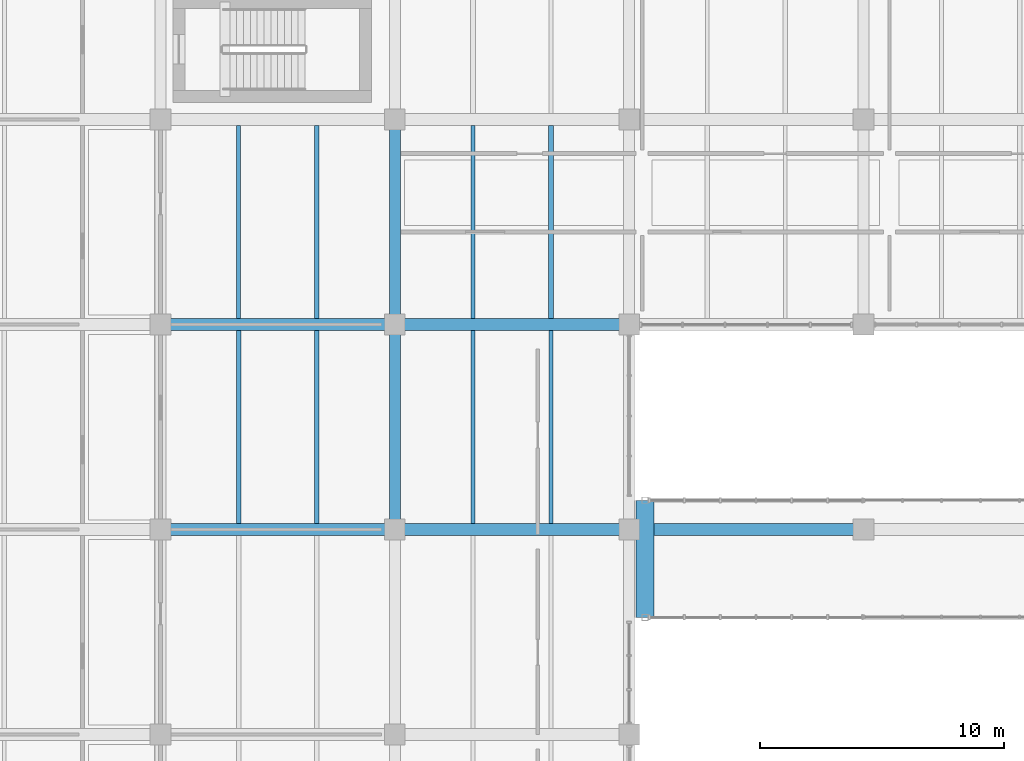
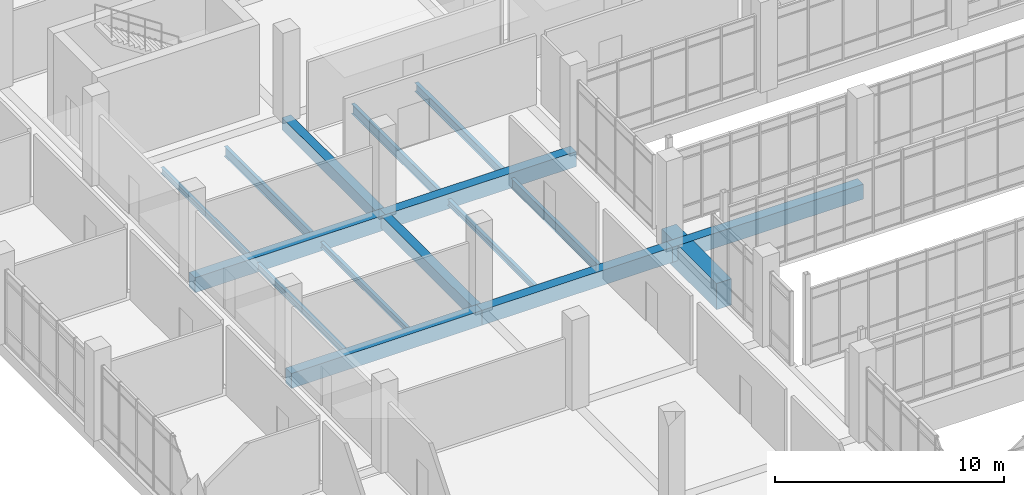
# One storey, part 52 of 152: 16 beams.
"""IFC4 building model written with IfcOpenShell, lengths in metres."""

from ifc_helpers import new_model, si_unit, direction, frame, origin, origin_2d, place, context, subcontext, project, spatial, rectangle, i_section, extrude, material, material_profile, profile_set, type_object, element, save


model = new_model("IFC4")

# Units and contexts
model_context = context("Model", 3, precision=1e-05, world=origin(), true_north=direction((0.0, 1.0)))
body_context = subcontext(model_context, "Body", "Model", "MODEL_VIEW")
ifc_project = project(units=[si_unit("LENGTHUNIT", "METRE"), si_unit("AREAUNIT", "SQUARE_METRE"), si_unit("VOLUMEUNIT", "CUBIC_METRE"), si_unit("PLANEANGLEUNIT", "RADIAN"), si_unit("MASSUNIT", "GRAM", prefix="KILO")], contexts=[model_context])

# Site, building, storey
site_placement = place(None, origin())
site = spatial("IfcSite", under=ifc_project, at=site_placement, CompositionType="ELEMENT")
building_placement = place(site_placement, origin())
building = spatial("IfcBuilding", under=site, at=building_placement, Name="Oolite Switchyard Hospital", CompositionType="ELEMENT")
storey_placement = place(building_placement, frame((0.0, 0.0, 5.10009765625)))
storey = spatial("IfcBuildingStorey", under=building, at=storey_placement, Name="L01", CompositionType="ELEMENT", Elevation=5.10009765625)

# Beams
ifc_material_1 = material(Name="Concrete C40/50", Category="concrete")
ifc_material_profile_1 = material_profile(ifc_material_1, rectangle(XDim=0.449951171875, YDim=0.64990234375, at=origin_2d()), Name="RCB450X650")
ifc_profile_set_1 = profile_set([ifc_material_profile_1], Name="Concrete C40/50")
beam_type_1 = type_object("IfcBeamType", Name="BM-RC450X650", PredefinedType="BEAM", material=ifc_profile_set_1)
beam_1_placement = place(storey_placement, frame((134.39990234375, 50.39990234375, -0.3251953125), z_axis=(0.0, 1.0, 0.0), x_axis=(-1.0, 0.0, 0.0)))
element("IfcBeam", 1, at=beam_1_placement, inside=storey, type_object=beam_type_1, Name="L01 Y-Girder 449", PredefinedType="BEAM", context=body_context, shape_type="SweptSolid", body=[
    extrude(rectangle(XDim=0.449951171875, YDim=0.64990234375, at=origin_2d()), origin(), (0.0, 0.0, 1.0), 8.400146484375),
])
beam_2_placement = place(storey_placement, frame((134.39990234375, 58.800048828125, -0.3251953125), z_axis=(0.0, 1.0, 0.0), x_axis=(-1.0, 0.0, 0.0)))
element("IfcBeam", 2, at=beam_2_placement, inside=storey, type_object=beam_type_1, Name="L01 Y-Girder 450", PredefinedType="BEAM", context=body_context, shape_type="SweptSolid", body=[
    extrude(rectangle(XDim=0.449951171875, YDim=0.64990234375, at=origin_2d()), origin(), (0.0, 0.0, 1.0), 8.39990234375),
])
ifc_material_profile_2 = material_profile(ifc_material_1, rectangle(XDim=0.5, YDim=0.800048828125, at=origin_2d()), Name="RCB500X800")
ifc_profile_set_2 = profile_set([ifc_material_profile_2], Name="Concrete C40/50")
beam_type_2 = type_object("IfcBeamType", Name="BM-RC500X800", PredefinedType="BEAM", material=ifc_profile_set_2)
beam_3_placement = place(storey_placement, frame((124.800048828125, 50.39990234375, -0.400146484375), z_axis=(1.0, 0.0, 0.0), x_axis=(0.0, 1.0, 0.0)))
element("IfcBeam", 3, at=beam_3_placement, inside=storey, type_object=beam_type_2, Name="L01 X-Girder 103", PredefinedType="BEAM", context=body_context, shape_type="SweptSolid", body=[
    extrude(rectangle(XDim=0.5, YDim=0.800048828125, at=origin_2d()), origin(), (0.0, 0.0, 1.0), 9.599853515625),
])
for number, where, z_axis, x_axis, name in (
    (4, (134.39990234375, 50.39990234375, -0.400146484375), (1.0, 0.0, 0.0), (0.0, 1.0, 0.0), "L01 X-Girder 104"),
    (5, (144.0, 50.39990234375, -0.400146484375), (1.0, 0.0, 0.0), (0.0, 1.0, 0.0), "L01 X-Girder 105"),
):
    element("IfcBeam", number, at=place(storey_placement, frame(where, z_axis=z_axis, x_axis=x_axis)), inside=storey, type_object=beam_type_2, Name=name, PredefinedType="BEAM", context=body_context, shape_type="SweptSolid", body=[
        extrude(rectangle(XDim=0.5, YDim=0.800048828125, at=origin_2d()), origin(), (0.0, 0.0, 1.0), 9.60009765625),
    ])
beam_4_placement = place(storey_placement, frame((124.800048828125, 58.800048828125, -0.400146484375), z_axis=(1.0, 0.0, 0.0), x_axis=(0.0, 1.0, 0.0)))
element("IfcBeam", 6, at=beam_4_placement, inside=storey, type_object=beam_type_2, Name="L01 X-Girder 119", PredefinedType="BEAM", context=body_context, shape_type="SweptSolid", body=[
    extrude(rectangle(XDim=0.5, YDim=0.800048828125, at=origin_2d()), origin(), (0.0, 0.0, 1.0), 9.599853515625),
])
beam_5_placement = place(storey_placement, frame((134.39990234375, 58.800048828125, -0.400146484375), z_axis=(1.0, 0.0, 0.0), x_axis=(0.0, 1.0, 0.0)))
element("IfcBeam", 7, at=beam_5_placement, inside=storey, type_object=beam_type_2, Name="L01 X-Girder 120", PredefinedType="BEAM", context=body_context, shape_type="SweptSolid", body=[
    extrude(rectangle(XDim=0.5, YDim=0.800048828125, at=origin_2d()), origin(), (0.0, 0.0, 1.0), 9.60009765625),
])
ifc_material_profile_3 = material_profile(ifc_material_1, rectangle(XDim=0.75, YDim=1.39990234375, at=origin_2d()), Name="RCT750X1400")
ifc_profile_set_3 = profile_set([ifc_material_profile_3], Name="Concrete C40/50")
beam_type_3 = type_object("IfcBeamType", Name="BM-TR750X1400", PredefinedType="BEAM", material=ifc_profile_set_3)
beam_6_placement = place(storey_placement, frame((144.64990234375, 46.800048828125, -0.7001953125), z_axis=(0.0, 1.0, 0.0), x_axis=(-1.0, 0.0, 0.0)))
element("IfcBeam", 8, at=beam_6_placement, inside=storey, type_object=beam_type_3, Name="L01 Y-Girder 475", PredefinedType="BEAM", context=body_context, shape_type="SweptSolid", body=[
    extrude(rectangle(XDim=0.75, YDim=1.39990234375, at=origin_2d()), origin(), (0.0, 0.0, 1.0), 4.800048828125),
])
ifc_material_2 = material(Name="Steel ASTM A992 Grade 50", Category="steel")
ifc_material_profile_4 = material_profile(ifc_material_2, i_section(OverallWidth=0.1650390625, OverallDepth=0.31005859375, WebThickness=0.006103515625, FlangeThickness=0.010009765625, at=origin_2d()), Name="W12X26")
ifc_profile_set_4 = profile_set([ifc_material_profile_4], Name="Steel ASTM A992 Grade 50")
beam_type_4 = type_object("IfcBeamType", Name="BM-W12X26", PredefinedType="JOIST", material=ifc_profile_set_4)
beam_7_placement = place(storey_placement, frame((131.199951171875, 50.64990234375, -0.455078125), z_axis=(0.0, 1.0, 0.0), x_axis=(-1.0, 0.0, 0.0)))
element("IfcBeam", 9, at=beam_7_placement, inside=storey, type_object=beam_type_4, Name="L01 Secondary Steel Joist 811", PredefinedType="JOIST", context=body_context, shape_type="SweptSolid", body=[
    extrude(i_section(OverallWidth=0.1650390625, OverallDepth=0.31005859375, WebThickness=0.006103515625, FlangeThickness=0.010009765625, at=origin_2d()), origin(), (0.0, 0.0, 1.0), 7.900146484375),
])
beam_8_placement = place(storey_placement, frame((128.0, 59.050048828125, -0.455078125), z_axis=(0.0, 1.0, 0.0), x_axis=(-1.0, 0.0, 0.0)))
element("IfcBeam", 10, at=beam_8_placement, inside=storey, type_object=beam_type_4, Name="L01 Secondary Steel Joist 812", PredefinedType="JOIST", context=body_context, shape_type="SweptSolid", body=[
    extrude(i_section(OverallWidth=0.1650390625, OverallDepth=0.31005859375, WebThickness=0.006103515625, FlangeThickness=0.010009765625, at=origin_2d()), origin(), (0.0, 0.0, 1.0), 7.89990234375),
])
beam_9_placement = place(storey_placement, frame((137.60009765625, 50.64990234375, -0.43017578125), z_axis=(0.0, 1.0, 0.0), x_axis=(-1.0, 0.0, 0.0)))
element("IfcBeam", 11, at=beam_9_placement, inside=storey, type_object=beam_type_4, Name="L01 Secondary Steel Joist 832", PredefinedType="JOIST", context=body_context, shape_type="SweptSolid", body=[
    extrude(i_section(OverallWidth=0.1650390625, OverallDepth=0.31005859375, WebThickness=0.006103515625, FlangeThickness=0.010009765625, at=origin_2d()), origin(), (0.0, 0.0, 1.0), 7.900146484375),
])
ifc_material_profile_5 = material_profile(ifc_material_2, i_section(OverallWidth=0.1708984375, OverallDepth=0.35107421875, WebThickness=0.007080078125, FlangeThickness=0.010009765625, at=origin_2d()), Name="W14X30")
ifc_profile_set_5 = profile_set([ifc_material_profile_5], Name="Steel ASTM A992 Grade 50")
beam_type_5 = type_object("IfcBeamType", Name="BM-W14X30", PredefinedType="JOIST", material=ifc_profile_set_5)
beam_10_placement = place(storey_placement, frame((128.0, 50.64990234375, -0.47607421875), z_axis=(0.0, 1.0, 0.0), x_axis=(-1.0, 0.0, 0.0)))
element("IfcBeam", 12, at=beam_10_placement, inside=storey, type_object=beam_type_5, Name="L01 Secondary Steel Joist 810", PredefinedType="JOIST", context=body_context, shape_type="SweptSolid", body=[
    extrude(i_section(OverallWidth=0.1708984375, OverallDepth=0.35107421875, WebThickness=0.007080078125, FlangeThickness=0.010009765625, at=origin_2d()), origin(), (0.0, 0.0, 1.0), 7.900146484375),
])
ifc_material_profile_6 = material_profile(ifc_material_2, i_section(OverallWidth=0.19091796875, OverallDepth=0.4599609375, WebThickness=0.010009765625, FlangeThickness=0.01611328125, at=origin_2d()), Name="W18X55")
ifc_profile_set_6 = profile_set([ifc_material_profile_6], Name="Steel ASTM A992 Grade 50")
beam_type_6 = type_object("IfcBeamType", Name="BM-W18X55", PredefinedType="JOIST", material=ifc_profile_set_6)
beam_11_placement = place(storey_placement, frame((140.800048828125, 59.050048828125, -0.505126953125), z_axis=(0.0, 1.0, 0.0), x_axis=(-1.0, 0.0, 0.0)))
element("IfcBeam", 13, at=beam_11_placement, inside=storey, type_object=beam_type_6, Name="L01 Secondary Steel Joist 835", PredefinedType="JOIST", context=body_context, shape_type="SweptSolid", body=[
    extrude(i_section(OverallWidth=0.19091796875, OverallDepth=0.4599609375, WebThickness=0.010009765625, FlangeThickness=0.01611328125, at=origin_2d()), origin(), (0.0, 0.0, 1.0), 7.89990234375),
])
ifc_material_profile_7 = material_profile(ifc_material_2, i_section(OverallWidth=0.166015625, OverallDepth=0.529052734375, WebThickness=0.010009765625, FlangeThickness=0.013916015625, at=origin_2d()), Name="W21X50")
ifc_profile_set_7 = profile_set([ifc_material_profile_7], Name="Steel ASTM A992 Grade 50")
beam_type_7 = type_object("IfcBeamType", Name="BM-W21X50", PredefinedType="JOIST", material=ifc_profile_set_7)
beam_12_placement = place(storey_placement, frame((131.199951171875, 59.050048828125, -0.564208984375), z_axis=(0.0, 1.0, 0.0), x_axis=(-1.0, 0.0, 0.0)))
element("IfcBeam", 14, at=beam_12_placement, inside=storey, type_object=beam_type_7, Name="L01 Secondary Steel Joist 813", PredefinedType="JOIST", context=body_context, shape_type="SweptSolid", body=[
    extrude(i_section(OverallWidth=0.166015625, OverallDepth=0.529052734375, WebThickness=0.010009765625, FlangeThickness=0.013916015625, at=origin_2d()), origin(), (0.0, 0.0, 1.0), 7.89990234375),
])
beam_13_placement = place(storey_placement, frame((140.800048828125, 50.64990234375, -0.5400390625), z_axis=(0.0, 1.0, 0.0), x_axis=(-1.0, 0.0, 0.0)))
element("IfcBeam", 15, at=beam_13_placement, inside=storey, type_object=beam_type_7, Name="L01 Secondary Steel Joist 833", PredefinedType="JOIST", context=body_context, shape_type="SweptSolid", body=[
    extrude(i_section(OverallWidth=0.166015625, OverallDepth=0.529052734375, WebThickness=0.010009765625, FlangeThickness=0.013916015625, at=origin_2d()), origin(), (0.0, 0.0, 1.0), 7.900146484375),
])
beam_14_placement = place(storey_placement, frame((137.60009765625, 59.050048828125, -0.5400390625), z_axis=(0.0, 1.0, 0.0), x_axis=(-1.0, 0.0, 0.0)))
element("IfcBeam", 16, at=beam_14_placement, inside=storey, type_object=beam_type_7, Name="L01 Secondary Steel Joist 834", PredefinedType="JOIST", context=body_context, shape_type="SweptSolid", body=[
    extrude(i_section(OverallWidth=0.166015625, OverallDepth=0.529052734375, WebThickness=0.010009765625, FlangeThickness=0.013916015625, at=origin_2d()), origin(), (0.0, 0.0, 1.0), 7.89990234375),
])

save(model, "model.ifc")
